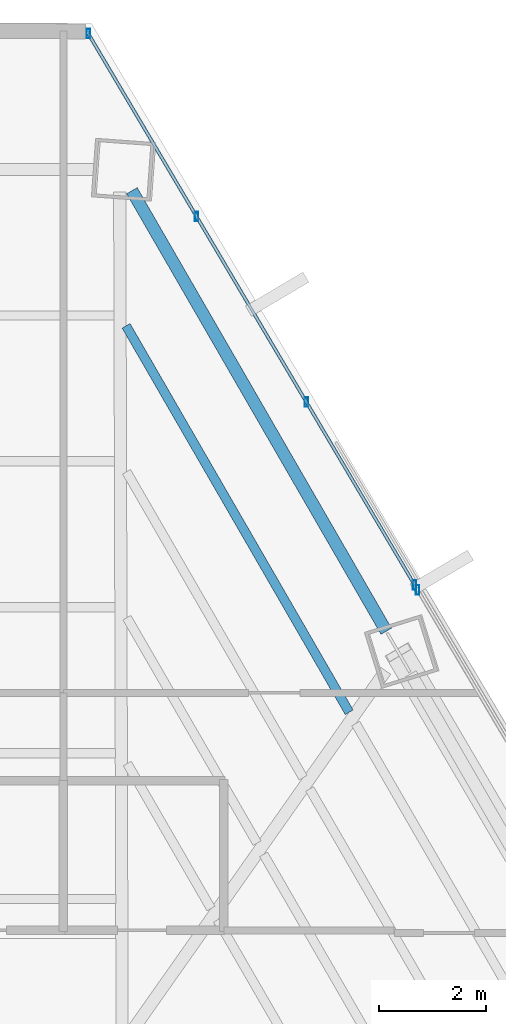
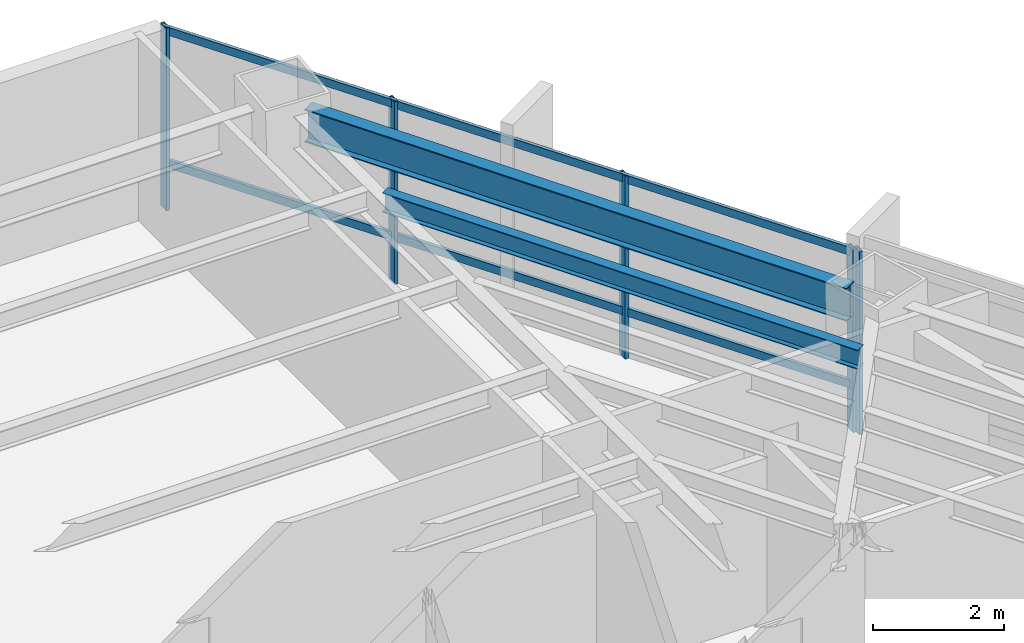
# One storey, part 28 of 37: 7 members, 2 beams, 2 elements without a shape of their own.
"""IFC4 building model written with IfcOpenShell, lengths in metres."""

from ifc_helpers import new_model, si_unit, direction, frame, origin, origin_2d, place, context, subcontext, project, spatial, hollow_rectangle, i_section, extrude, source, transform, mapped, material, material_profile, profile_set, type_object, type_shapes, element, aggregate, save


model = new_model("IFC4")

# Units and contexts
model_context = context("Model", 3, precision=1e-05, world=origin(), true_north=direction((0.0, 1.0)))
body_context = subcontext(model_context, "Body", "Model", "MODEL_VIEW")
ifc_project = project(units=[si_unit("LENGTHUNIT", "METRE"), si_unit("AREAUNIT", "SQUARE_METRE"), si_unit("VOLUMEUNIT", "CUBIC_METRE"), si_unit("PLANEANGLEUNIT", "RADIAN"), si_unit("MASSUNIT", "GRAM", prefix="KILO")], contexts=[model_context])

# Site, building, storey
site_placement = place(None, origin())
site = spatial("IfcSite", under=ifc_project, at=site_placement, CompositionType="ELEMENT")
building_placement = place(site_placement, origin())
building = spatial("IfcBuilding", under=site, at=building_placement, Name="Caelisora Broadcast Tower", CompositionType="ELEMENT")
storey_placement = place(building_placement, frame((0.0, 0.0, 101.75)))
storey = spatial("IfcBuildingStorey", under=building, at=storey_placement, Name="L26", CompositionType="ELEMENT", Elevation=101.75)

# Beams
ifc_material_1 = material(Name="Steel Grade 350 (AS/NZS 3679.1)", Category="steel")
ifc_material_profile_1 = material_profile(ifc_material_1, i_section(OverallWidth=0.22900390625, OverallDepth=0.611572265625, WebThickness=0.011962890625, FlangeThickness=0.01953125, at=origin_2d()), Name="Steel Grade 350 (AS/NZS 3679.1)")
ifc_profile_set_1 = profile_set([ifc_material_profile_1], Name="Steel Grade 350 (AS/NZS 3679.1)")
beam_type_1 = type_object("IfcBeamType", Name="PG03", PredefinedType="BEAM", material=ifc_profile_set_1)
shared_shape_1 = source(origin(), body_context, "Body", "SweptSolid", [
    extrude(i_section(OverallWidth=0.22900390625, OverallDepth=0.611572265625, WebThickness=0.011962890625, FlangeThickness=0.01953125, at=origin_2d()), origin(), (0.0, 0.0, 1.0), 9.533203125),
])
type_shapes(beam_type_1, [shared_shape_1])
beam_1_placement = place(storey_placement, frame((50.44970703125, 37.75439453125, 3.09423828125), z_axis=(-0.499995120407, 0.866028221, 0.0), x_axis=(-0.866028221, -0.499995120407, 0.0)))
element("IfcBeam", 1, at=beam_1_placement, inside=storey, type_object=beam_type_1, Name="L26 beam PG03", PredefinedType="BEAM", context=body_context, shape_type="MappedRepresentation", body=[
    mapped(shared_shape_1, transform((0.0, 0.0, 0.0), scale=1.0)),
])
ifc_material_profile_2 = material_profile(ifc_material_1, i_section(OverallWidth=0.172119140625, OverallDepth=0.358642578125, WebThickness=0.008056640625, FlangeThickness=0.012939453125, at=origin_2d()), Name="Steel Grade 350 (AS/NZS 3679.1)")
ifc_profile_set_2 = profile_set([ifc_material_profile_2], Name="Steel Grade 350 (AS/NZS 3679.1)")
beam_type_2 = type_object("IfcBeamType", Name="SB02", PredefinedType="JOIST", material=ifc_profile_set_2)
shared_shape_2 = source(origin(), body_context, "Body", "SweptSolid", [
    extrude(i_section(OverallWidth=0.172119140625, OverallDepth=0.358642578125, WebThickness=0.008056640625, FlangeThickness=0.012939453125, at=origin_2d()), origin(), (0.0, 0.0, 1.0), 8.362548828125),
])
type_shapes(beam_type_2, [shared_shape_2])
beam_2_placement = place(storey_placement, frame((49.755126953125, 36.236083984375, 3.220703125), z_axis=(-0.499988649376, 0.866031956971, 0.0), x_axis=(-0.866031956971, -0.499988649376, 0.0)))
element("IfcBeam", 2, at=beam_2_placement, inside=storey, type_object=beam_type_2, Name="L26 beam SB02", PredefinedType="JOIST", context=body_context, shape_type="MappedRepresentation", body=[
    mapped(shared_shape_2, transform((0.0, 0.0, 0.0), scale=1.0)),
])

# Curtain wall, members
ifc_material_2 = material(Name="Unitised Aluminium and Low-E Glass Curtain Wall", Category="glass")
curtain_wall_type_1 = type_object("IfcCurtainWallType", Name="CW-Z2", PredefinedType="NOTDEFINED", material=ifc_material_2)
curtain_wall_1_placement = place(storey_placement, origin())
curtain_wall_1 = element("IfcCurtainWall", 3, at=curtain_wall_1_placement, inside=storey, type_object=curtain_wall_type_1, Name="L26 curtain wall CW-Z2", PredefinedType="NOTDEFINED")
ifc_material_3 = material(Name="Aluminium 6063-T6 Anodised Terracotta Bronze", Category="aluminium")
ifc_material_profile_3 = material_profile(ifc_material_3, hollow_rectangle(XDim=0.06494140625, YDim=0.179931640625, WallThickness=0.00341796875, at=origin_2d()), Name="Aluminium 6063-T6 Anodised Terracotta Bronze")
ifc_profile_set_3 = profile_set([ifc_material_profile_3], Name="Aluminium 6063-T6 Anodised Terracotta Bronze")
member_type_1 = type_object("IfcMemberType", Name="CWM-02", PredefinedType="MULLION", material=ifc_profile_set_3)
shared_shape_3 = source(origin(), body_context, "Body", "SweptSolid", [
    extrude(hollow_rectangle(XDim=0.06494140625, YDim=0.179931640625, WallThickness=0.00341796875, at=origin_2d()), origin(), (0.0, 0.0, 1.0), 3.39990234375),
])
type_shapes(member_type_1, [shared_shape_3])
member_1_placement = place(storey_placement, frame((44.865478515625, 48.9541015625, 0.0), z_axis=(0.0, 0.0, 1.0), x_axis=(1.0, 0.0, 0.0)))
member_1 = element("IfcMember", 4, at=member_1_placement, type_object=member_type_1, Name="L26-CW-B01 mullion #0", PredefinedType="MULLION", context=body_context, shape_type="MappedRepresentation", body=[
    mapped(shared_shape_3, transform((0.0, 0.0, 0.0), scale=1.0)),
])
member_2_placement = place(storey_placement, frame((46.8955078125, 45.52490234375, 0.0), z_axis=(0.0, 0.0, 1.0), x_axis=(1.0, 0.0, 0.0)))
member_2 = element("IfcMember", 5, at=member_2_placement, type_object=member_type_1, Name="L26-CW-B01 mullion #1", PredefinedType="MULLION", context=body_context, shape_type="MappedRepresentation", body=[
    mapped(shared_shape_3, transform((0.0, 0.0, 0.0), scale=1.0)),
])
member_3_placement = place(storey_placement, frame((48.950927734375, 42.052978515625, 0.0), z_axis=(0.0, 0.0, 1.0), x_axis=(1.0, 0.0, 0.0)))
member_3 = element("IfcMember", 6, at=member_3_placement, type_object=member_type_1, Name="L26-CW-B01 mullion #2", PredefinedType="MULLION", context=body_context, shape_type="MappedRepresentation", body=[
    mapped(shared_shape_3, transform((0.0, 0.0, 0.0), scale=1.0)),
])
member_4_placement = place(storey_placement, frame((50.980712890625, 38.6240234375, 0.0), z_axis=(0.0, 0.0, 1.0), x_axis=(1.0, 0.0, 0.0)))
member_4 = element("IfcMember", 7, at=member_4_placement, type_object=member_type_1, Name="L26-CW-B01 mullion #3", PredefinedType="MULLION", context=body_context, shape_type="MappedRepresentation", body=[
    mapped(shared_shape_3, transform((0.0, 0.0, 0.0), scale=1.0)),
])

# Curtain wall, member
ifc_material_4 = material(Name="Unitised Aluminium Insulated Shadow-Box Spandrel Curtain Wall", Category="aluminium")
curtain_wall_type_2 = type_object("IfcCurtainWallType", Name="CW-SP1", PredefinedType="NOTDEFINED", material=ifc_material_4)
curtain_wall_2_placement = place(storey_placement, origin())
curtain_wall_2 = element("IfcCurtainWall", 8, at=curtain_wall_2_placement, inside=storey, type_object=curtain_wall_type_2, Name="L26 curtain wall CW-SP1", PredefinedType="NOTDEFINED")
member_5_placement = place(storey_placement, frame((51.036865234375, 38.529296875, 0.0), z_axis=(0.0, 0.0, 1.0), x_axis=(1.0, 0.0, 0.0)))
member_5 = element("IfcMember", 9, at=member_5_placement, type_object=member_type_1, Name="L26-CW-B02 mullion #0", PredefinedType="MULLION", context=body_context, shape_type="MappedRepresentation", body=[
    mapped(shared_shape_3, transform((0.0, 0.0, 0.0), scale=1.0)),
])
aggregate(curtain_wall_2, [member_5])

# Member
ifc_material_profile_4 = material_profile(ifc_material_3, hollow_rectangle(XDim=0.06005859375, YDim=0.14990234375, WallThickness=0.00341796875, at=origin_2d()), Name="Aluminium 6063-T6 Anodised Terracotta Bronze")
ifc_profile_set_4 = profile_set([ifc_material_profile_4], Name="Aluminium 6063-T6 Anodised Terracotta Bronze")
member_type_2 = type_object("IfcMemberType", Name="CWT-02", PredefinedType="USERDEFINED", material=ifc_profile_set_4)
shared_shape_4 = source(origin(), body_context, "Body", "SweptSolid", [
    extrude(hollow_rectangle(XDim=0.06005859375, YDim=0.14990234375, WallThickness=0.00341796875, at=origin_2d()), origin(), (0.0, 0.0, 1.0), 12.00439453125),
])
type_shapes(member_type_2, [shared_shape_4])
member_6_placement = place(storey_placement, frame((44.865478515625, 48.9541015625, 0.85009765625), z_axis=(0.509414335632, -0.860521373734, 0.0), x_axis=(0.860521373734, 0.509414335632, 0.0)))
member_6 = element("IfcMember", 10, at=member_6_placement, type_object=member_type_2, Name="L26-CW-B01 transom #1", ObjectType="TRANSOM", PredefinedType="USERDEFINED", context=body_context, shape_type="MappedRepresentation", body=[
    mapped(shared_shape_4, transform((0.0, 0.0, 0.0), scale=1.0)),
])

member_7_placement = place(storey_placement, frame((44.865478515625, 48.9541015625, 3.320068359375), z_axis=(0.509414335632, -0.860521373734, 0.0), x_axis=(0.860521373734, 0.509414335632, 0.0)))
member_7 = element("IfcMember", 11, at=member_7_placement, type_object=member_type_2, Name="L26-CW-B01 transom #2", ObjectType="TRANSOM", PredefinedType="USERDEFINED", context=body_context, shape_type="MappedRepresentation", body=[
    mapped(shared_shape_4, transform((0.0, 0.0, 0.0), scale=1.0)),
])

aggregate(curtain_wall_1, [member_1, member_2, member_3, member_4, member_6, member_7])

save(model, "model.ifc")
